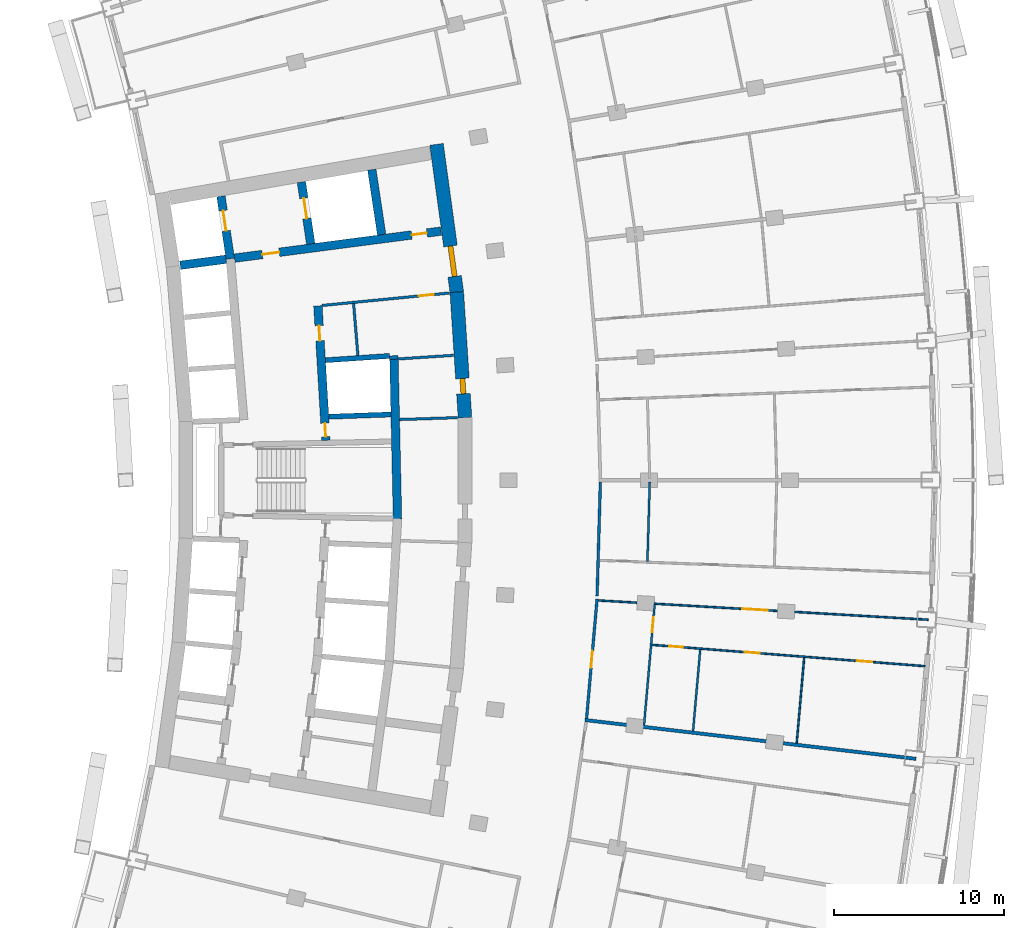
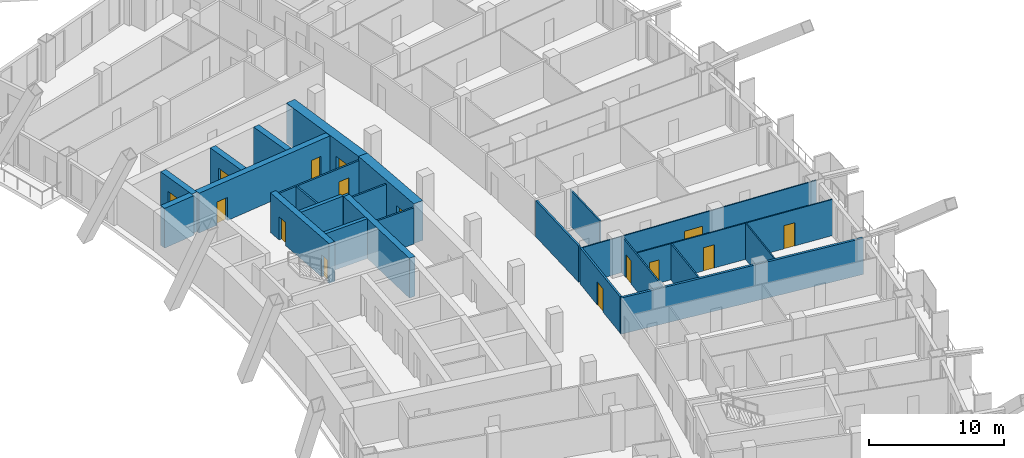
# One storey, part 17 of 25: 25 walls, 15 doors, 15 openings.
"""IFC4 building model written with IfcOpenShell, lengths in metres."""

from ifc_helpers import new_model, si_unit, direction, frame, frame_2d, origin, place, context, subcontext, project, spatial, rectangle, extrude, material, layer, layer_set, type_object, element, fill, save


model = new_model("IFC4")

# Units and contexts
model_context = context("Model", 3, precision=1e-05, world=origin(), true_north=direction((0.0, 1.0)))
body_context = subcontext(model_context, "Body", "Model", "MODEL_VIEW")
ifc_project = project(units=[si_unit("LENGTHUNIT", "METRE"), si_unit("AREAUNIT", "SQUARE_METRE"), si_unit("VOLUMEUNIT", "CUBIC_METRE"), si_unit("PLANEANGLEUNIT", "RADIAN"), si_unit("MASSUNIT", "GRAM", prefix="KILO")], contexts=[model_context])

# Site, building, storey
site_placement = place(None, origin())
site = spatial("IfcSite", under=ifc_project, at=site_placement, CompositionType="ELEMENT")
building_placement = place(site_placement, origin())
building = spatial("IfcBuilding", under=site, at=building_placement, Name="Alderwake Tower", CompositionType="ELEMENT")
storey_placement = place(building_placement, frame((0.0, 0.0, 114.800048828125)))
storey = spatial("IfcBuildingStorey", under=building, at=storey_placement, Name="L28", CompositionType="ELEMENT", Elevation=114.800048828125)

# Walls
ifc_material_1 = material(Name="Gypsum shaft wall system, rated")
ifc_layer_1 = layer(ifc_material_1, 0.14990234375)
ifc_layer_set_1 = layer_set([ifc_layer_1], Name="Core room partition 150")
wall_type_1 = type_object("IfcWallType", Name="Core room partition 150", PredefinedType="PARTITIONING", material=ifc_layer_set_1)
wall_1_placement = place(storey_placement, frame((26.94970703125, 68.3203125, 0.0), z_axis=(0.0, 0.0, 1.0), x_axis=(-0.082463525817, 0.996594083321, 0.0)))
element("IfcWall", 1, at=wall_1_placement, inside=storey, type_object=wall_type_1, Name="CW/L28/PA+107_+70", PredefinedType="PARTITIONING", context=body_context, shape_type="SweptSolid", body=[
    extrude(rectangle(XDim=3.055419921875, YDim=0.14990234375, at=frame_2d((1.52783203125, 0.0))), origin(), (0.0, 0.0, 1.0), 3.280029296875),
])
wall_2_placement = place(storey_placement, frame((29.3974609375, 64.55810546875, 0.0), z_axis=(0.0, 0.0, 1.0), x_axis=(0.999470631901, 0.032533920269, 0.0)))
element("IfcWall", 2, at=wall_2_placement, inside=storey, type_object=wall_type_1, Name="CW/L28/PR+34_+128", PredefinedType="PARTITIONING", context=body_context, shape_type="SweptSolid", body=[
    extrude(rectangle(XDim=3.414306640625, YDim=0.14990234375, at=frame_2d((1.70703125, 0.0))), origin(), (0.0, 0.0, 1.0), 3.280029296875),
])
wall_3_placement = place(storey_placement, frame((29.318603515625, 68.11865234375, 0.0), z_axis=(0.0, 0.0, 1.0), x_axis=(0.997885072108, 0.065002945035, 0.0)))
element("IfcWall", 3, at=wall_3_placement, inside=storey, type_object=wall_type_1, Name="CW/L28/PR+68_+128", PredefinedType="PARTITIONING", context=body_context, shape_type="SweptSolid", body=[
    extrude(rectangle(XDim=3.260009765625, YDim=0.14990234375, at=frame_2d((1.6298828125, 0.0))), origin(), (0.0, 0.0, 1.0), 3.280029296875),
])

# Wall, opening, door
wall_4_placement = place(storey_placement, frame((32.333251953125, 71.991943359375, 0.0), z_axis=(0.0, 0.0, 1.0), x_axis=(-0.995248348328, -0.097369015353, 0.0)))
wall_4 = element("IfcWall", 4, at=wall_4_placement, inside=storey, type_object=wall_type_1, Name="CW/L28/PR+102_+86", PredefinedType="PARTITIONING", context=body_context, shape_type="SweptSolid", body=[
    extrude(rectangle(XDim=7.51953125, YDim=0.14990234375, at=frame_2d((3.759765625, 0.0))), origin(), (0.0, 0.0, 1.0), 3.280029296875),
])
opening_1_placement = place(wall_4_placement, frame((0.919921875, 0.0, 0.0)))
opening_1 = element("IfcOpeningElement", 5, at=opening_1_placement, cuts=wall_4, Name="Opening C021", PredefinedType="OPENING", context=body_context, shape_type="SweptSolid", body=[
    extrude(rectangle(XDim=0.89990234375, YDim=2.10009765625, at=frame_2d((0.449951171875, 1.050048828125))), frame((0.0, 0.0849609375, 0.0), z_axis=(0.0, -1.0, 0.0), x_axis=(1.0, 0.0, 0.0)), (0.0, 0.0, 1.0), 0.169921875),
])
ifc_material_2 = material(Name="Painted steel leaf", Category="steel")
door_type_1 = type_object("IfcDoorType", Name="Core room door 900", OperationType="SINGLE_SWING_LEFT", PredefinedType="DOOR", material=ifc_material_2)
door_1_placement = place(opening_1_placement, origin())
door_1 = element("IfcDoor", 6, at=door_1_placement, inside=storey, type_object=door_type_1, Name="Room door", OperationType="SINGLE_SWING_RIGHT", OverallHeight=2.10009765625, OverallWidth=0.89990234375, PredefinedType="DOOR", context=body_context, shape_type="SweptSolid", body=[
    extrude(rectangle(XDim=0.89990234375, YDim=2.10009765625, at=frame_2d((0.449951171875, 1.050048828125))), frame((0.0, 0.02490234375, 0.0), z_axis=(0.0, -1.0, 0.0), x_axis=(1.0, 0.0, 0.0)), (0.0, 0.0, 1.0), 0.050048828125),
])
fill(opening_1, door_1)

ifc_material_3 = material(Name="Concrete C70/85", Category="concrete")
ifc_layer_2 = layer(ifc_material_3, 0.800048828125)
ifc_layer_set_2 = layer_set([ifc_layer_2], Name="Core wall outer 800 C70-85")
wall_type_2 = type_object("IfcWallType", Name="Core wall outer 800 C70-85", PredefinedType="SHEAR", material=ifc_layer_set_2)
wall_5_placement = place(storey_placement, frame((32.760498046875, 72.048583984375, 0.0), z_axis=(0.0, 0.0, 1.0), x_axis=(0.064976219143, -0.997886812693, 0.0)))
wall_5 = element("IfcWall", 7, at=wall_5_placement, inside=storey, type_object=wall_type_2, Name="Core wall CW.010", PredefinedType="SHEAR", context=body_context, shape_type="SweptSolid", body=[
    extrude(rectangle(XDim=7.39453125, YDim=0.800048828125, at=frame_2d((3.697265625, 0.0))), origin(), (0.0, 0.0, 1.0), 3.599853515625),
])
opening_2_placement = place(wall_5_placement, frame((5.08984375, 0.0, 0.0)))
opening_2 = element("IfcOpeningElement", 8, at=opening_2_placement, cuts=wall_5, Name="Opening C035", PredefinedType="OPENING", context=body_context, shape_type="SweptSolid", body=[
    extrude(rectangle(XDim=0.89990234375, YDim=2.10009765625, at=frame_2d((0.449951171875, 1.050048828125))), frame((0.0, 0.409912109375, 0.0), z_axis=(0.0, -1.0, 0.0), x_axis=(1.0, 0.0, 0.0)), (0.0, 0.0, 1.0), 0.820068359375),
])
door_2_placement = place(opening_2_placement, origin())
door_2 = element("IfcDoor", 9, at=door_2_placement, inside=storey, type_object=door_type_1, Name="Room door", OperationType="SINGLE_SWING_RIGHT", OverallHeight=2.10009765625, OverallWidth=0.89990234375, PredefinedType="DOOR", context=body_context, shape_type="SweptSolid", body=[
    extrude(rectangle(XDim=0.89990234375, YDim=2.10009765625, at=frame_2d((0.449951171875, 1.050048828125))), frame((0.0, 0.14990234375, 0.0), z_axis=(0.0, -1.0, 0.0), x_axis=(1.0, 0.0, 0.0)), (0.0, 0.0, 1.0), 0.300048828125),
])
fill(opening_2, door_2)

wall_6_placement = place(storey_placement, frame((31.569580078125, 80.7265625, 0.0), z_axis=(0.0, 0.0, 1.0), x_axis=(0.135838347444, -0.990731014637, 0.0)))
wall_6 = element("IfcWall", 10, at=wall_6_placement, inside=storey, type_object=wall_type_2, Name="Core wall CW.009", PredefinedType="SHEAR", context=body_context, shape_type="SweptSolid", body=[
    extrude(rectangle(XDim=8.788818359375, YDim=0.800048828125, at=frame_2d((4.39453125, 0.0))), origin(), (0.0, 0.0, 1.0), 3.599853515625),
])
opening_3_placement = place(wall_6_placement, frame((6.032958984375, 0.0, 0.0)))
opening_3 = element("IfcOpeningElement", 11, at=opening_3_placement, cuts=wall_6, Name="Opening C001", PredefinedType="OPENING", context=body_context, shape_type="SweptSolid", body=[
    extrude(rectangle(XDim=1.800048828125, YDim=2.10009765625, at=frame_2d((0.89990234375, 1.050048828125))), frame((0.0, 0.409912109375, 0.0), z_axis=(0.0, -1.0, 0.0), x_axis=(1.0, 0.0, 0.0)), (0.0, 0.0, 1.0), 0.820068359375),
])
ifc_material_4 = material(Name="Steel-framed fire door leaves", Category="steel")
door_type_2 = type_object("IfcDoorType", Name="Core double door 1800 fire-rated", OperationType="DOUBLE_DOOR_SINGLE_SWING", PredefinedType="DOOR", material=ifc_material_4)
door_3_placement = place(opening_3_placement, origin())
door_3 = element("IfcDoor", 12, at=door_3_placement, inside=storey, type_object=door_type_2, Name="Lobby double door", OperationType="DOUBLE_DOOR_SINGLE_SWING", OverallHeight=2.10009765625, OverallWidth=1.800048828125, PredefinedType="DOOR", context=body_context, shape_type="SweptSolid", body=[
    extrude(rectangle(XDim=1.800048828125, YDim=2.10009765625, at=frame_2d((0.89990234375, 1.050048828125))), frame((0.0, 0.14990234375, 0.0), z_axis=(0.0, -1.0, 0.0), x_axis=(1.0, 0.0, 0.0)), (0.0, 0.0, 1.0), 0.300048828125),
])
fill(opening_3, door_3)

# Walls
ifc_material_5 = material(Name="Concrete C70/85", Category="concrete")
ifc_layer_3 = layer(ifc_material_5, 0.300048828125)
ifc_layer_set_3 = layer_set([ifc_layer_3], Name="Core wall shaft 300 C70-85")
wall_type_3 = type_object("IfcWallType", Name="Core wall shaft 300 C70-85", PredefinedType="SHEAR", material=ifc_layer_set_3)
wall_7_placement = place(storey_placement, frame((25.2412109375, 64.725341796875, 0.0), z_axis=(0.0, 0.0, 1.0), x_axis=(0.999374468163, 0.035364846723, 0.0)))
element("IfcWall", 13, at=wall_7_placement, inside=storey, type_object=wall_type_3, Name="Core wall CW.060", PredefinedType="SHEAR", context=body_context, shape_type="SweptSolid", body=[
    extrude(rectangle(XDim=3.65185546875, YDim=0.300048828125, at=frame_2d((1.825927734375, 0.0))), origin(), (0.0, 0.0, 1.0), 3.599853515625),
])
wall_8_placement = place(storey_placement, frame((25.042236328125, 68.0419921875, 0.0), z_axis=(0.0, 0.0, 1.0), x_axis=(0.997762475899, 0.066858370369, 0.0)))
element("IfcWall", 14, at=wall_8_placement, inside=storey, type_object=wall_type_3, Name="Core wall CW.063", PredefinedType="SHEAR", context=body_context, shape_type="SweptSolid", body=[
    extrude(rectangle(XDim=3.772216796875, YDim=0.300048828125, at=frame_2d((1.88623046875, 0.0))), origin(), (0.0, 0.0, 1.0), 3.599853515625),
])

# Wall, opening, door
ifc_material_6 = material(Name="Concrete C70/85", Category="concrete")
ifc_layer_4 = layer(ifc_material_6, 0.5)
ifc_layer_set_4 = layer_set([ifc_layer_4], Name="Core wall spine 500 C70-85")
wall_type_4 = type_object("IfcWallType", Name="Core wall spine 500 C70-85", PredefinedType="SHEAR", material=ifc_layer_set_4)
wall_9_placement = place(storey_placement, frame((19.4541015625, 73.9990234375, 0.0), z_axis=(0.0, 0.0, 1.0), x_axis=(-0.14792928808, 0.988997940204, 0.0)))
wall_9 = element("IfcWall", 15, at=wall_9_placement, inside=storey, type_object=wall_type_4, Name="Core wall CW.030", PredefinedType="SHEAR", context=body_context, shape_type="SweptSolid", body=[
    extrude(rectangle(XDim=3.716552734375, YDim=0.5, at=frame_2d((1.8583984375, 0.0))), origin(), (0.0, 0.0, 1.0), 3.599853515625),
])
opening_4_placement = place(wall_9_placement, frame((1.66259765625, 0.0, 0.0)))
opening_4 = element("IfcOpeningElement", 16, at=opening_4_placement, cuts=wall_9, Name="Opening LD-FF1", PredefinedType="OPENING", context=body_context, shape_type="SweptSolid", body=[
    extrude(rectangle(XDim=1.199951171875, YDim=2.300048828125, at=frame_2d((0.60009765625, 1.14990234375))), frame((0.0, 0.260009765625, 0.0), z_axis=(0.0, -1.0, 0.0), x_axis=(1.0, 0.0, 0.0)), (0.0, 0.0, 1.0), 0.52001953125),
])
ifc_material_7 = material(Name="Stainless steel sliding leaf", Category="steel")
door_type_3 = type_object("IfcDoorType", Name="Lift landing door 1200", OperationType="SLIDING_TO_LEFT", PredefinedType="DOOR", material=ifc_material_7)
door_4_placement = place(opening_4_placement, origin())
door_4 = element("IfcDoor", 17, at=door_4_placement, inside=storey, type_object=door_type_3, Name="Lift landing door FF1", OperationType="SLIDING_TO_LEFT", OverallHeight=2.300048828125, OverallWidth=1.199951171875, PredefinedType="DOOR", context=body_context, shape_type="SweptSolid", body=[
    extrude(rectangle(XDim=1.199951171875, YDim=2.300048828125, at=frame_2d((0.60009765625, 1.14990234375))), frame((0.0, 0.02490234375, 0.0), z_axis=(0.0, -1.0, 0.0), x_axis=(1.0, 0.0, 0.0)), (0.0, 0.0, 1.0), 0.050048828125),
])
fill(opening_4, door_4)

# Wall, openings, doors
wall_10_placement = place(storey_placement, frame((25.073974609375, 63.335693359375, 0.0), z_axis=(0.0, 0.0, 1.0), x_axis=(-0.059848641072, 0.998207463487, 0.0)))
wall_10 = element("IfcWall", 18, at=wall_10_placement, inside=storey, type_object=wall_type_4, Name="Core wall CW.045", PredefinedType="SHEAR", context=body_context, shape_type="SweptSolid", body=[
    extrude(rectangle(XDim=7.913818359375, YDim=0.5, at=frame_2d((3.95703125, 0.0))), origin(), (0.0, 0.0, 1.0), 3.599853515625),
])
opening_5_placement = place(wall_10_placement, frame((0.216064453125, 0.0, 0.0)))
opening_5 = element("IfcOpeningElement", 19, at=opening_5_placement, cuts=wall_10, Name="Opening C005", PredefinedType="OPENING", context=body_context, shape_type="SweptSolid", body=[
    extrude(rectangle(XDim=0.800048828125, YDim=2.0, at=frame_2d((0.39990234375, 1.0))), frame((0.0, 0.260009765625, 0.0), z_axis=(0.0, -1.0, 0.0), x_axis=(1.0, 0.0, 0.0)), (0.0, 0.0, 1.0), 0.52001953125),
])
opening_6_placement = place(wall_10_placement, frame((5.856201171875, 0.0, 0.0)))
opening_6 = element("IfcOpeningElement", 20, at=opening_6_placement, cuts=wall_10, Name="Opening C024", PredefinedType="OPENING", context=body_context, shape_type="SweptSolid", body=[
    extrude(rectangle(XDim=0.89990234375, YDim=2.10009765625, at=frame_2d((0.449951171875, 1.050048828125))), frame((0.0, 0.260009765625, 0.0), z_axis=(0.0, -1.0, 0.0), x_axis=(1.0, 0.0, 0.0)), (0.0, 0.0, 1.0), 0.52001953125),
])
door_5_placement = place(opening_6_placement, origin())
door_5 = element("IfcDoor", 21, at=door_5_placement, inside=storey, type_object=door_type_1, Name="Room door", OperationType="SINGLE_SWING_LEFT", OverallHeight=2.10009765625, OverallWidth=0.89990234375, PredefinedType="DOOR", context=body_context, shape_type="SweptSolid", body=[
    extrude(rectangle(XDim=0.89990234375, YDim=2.10009765625, at=frame_2d((0.449951171875, 1.050048828125))), frame((0.0, 0.02490234375, 0.0), z_axis=(0.0, -1.0, 0.0), x_axis=(1.0, 0.0, 0.0)), (0.0, 0.0, 1.0), 0.050048828125),
])
fill(opening_6, door_5)
ifc_material_8 = material(Name="Painted steel leaf, rated", Category="steel")
door_type_4 = type_object("IfcDoorType", Name="Riser access door 800", OperationType="SINGLE_SWING_LEFT", PredefinedType="DOOR", material=ifc_material_8)
door_6_placement = place(opening_5_placement, origin())
door_6 = element("IfcDoor", 22, at=door_6_placement, inside=storey, type_object=door_type_4, Name="Riser access door", OperationType="SINGLE_SWING_LEFT", OverallHeight=2.0, OverallWidth=0.800048828125, PredefinedType="DOOR", context=body_context, shape_type="SweptSolid", body=[
    extrude(rectangle(XDim=0.800048828125, YDim=2.0, at=frame_2d((0.39990234375, 1.0))), frame((0.0, 0.02490234375, 0.0), z_axis=(0.0, -1.0, 0.0), x_axis=(1.0, 0.0, 0.0)), (0.0, 0.0, 1.0), 0.050048828125),
])
fill(opening_5, door_6)

# Wall, opening, door
wall_11_placement = place(storey_placement, frame((24.1796875, 74.878173828125, 0.0), z_axis=(0.0, 0.0, 1.0), x_axis=(-0.149334835296, 0.988786684259, 0.0)))
wall_11 = element("IfcWall", 23, at=wall_11_placement, inside=storey, type_object=wall_type_4, Name="Core wall CW.044", PredefinedType="SHEAR", context=body_context, shape_type="SweptSolid", body=[
    extrude(rectangle(XDim=3.673583984375, YDim=0.5, at=frame_2d((1.8369140625, 0.0))), origin(), (0.0, 0.0, 1.0), 3.599853515625),
])
opening_7_placement = place(wall_11_placement, frame((1.51171875, 0.0, 0.0)))
opening_7 = element("IfcOpeningElement", 24, at=opening_7_placement, cuts=wall_11, Name="Opening LD-FF2", PredefinedType="OPENING", context=body_context, shape_type="SweptSolid", body=[
    extrude(rectangle(XDim=1.199951171875, YDim=2.300048828125, at=frame_2d((0.60009765625, 1.14990234375))), frame((0.0, 0.260009765625, 0.0), z_axis=(0.0, -1.0, 0.0), x_axis=(1.0, 0.0, 0.0)), (0.0, 0.0, 1.0), 0.52001953125),
])
door_7_placement = place(opening_7_placement, origin())
door_7 = element("IfcDoor", 25, at=door_7_placement, inside=storey, type_object=door_type_3, Name="Lift landing door FF2", OperationType="SLIDING_TO_LEFT", OverallHeight=2.300048828125, OverallWidth=1.199951171875, PredefinedType="DOOR", context=body_context, shape_type="SweptSolid", body=[
    extrude(rectangle(XDim=1.199951171875, YDim=2.300048828125, at=frame_2d((0.60009765625, 1.14990234375))), frame((0.0, 0.02490234375, 0.0), z_axis=(0.0, -1.0, 0.0), x_axis=(1.0, 0.0, 0.0)), (0.0, 0.0, 1.0), 0.050048828125),
])
fill(opening_7, door_7)

# Walls
wall_12_placement = place(storey_placement, frame((29.276611328125, 58.71630859375, 0.0), z_axis=(0.0, 0.0, 1.0), x_axis=(-0.022115722908, 0.99975541749, 0.0)))
element("IfcWall", 26, at=wall_12_placement, inside=storey, type_object=wall_type_4, Name="Core wall CW.007", PredefinedType="SHEAR", context=body_context, shape_type="SweptSolid", body=[
    extrude(rectangle(XDim=9.394287109375, YDim=0.5, at=frame_2d((4.697265625, 0.0))), origin(), (0.0, 0.0, 1.0), 3.599853515625),
])
wall_13_placement = place(storey_placement, frame((29.0693359375, 68.096435546875, 0.0), z_axis=(0.0, 0.0, 1.0), x_axis=(-0.065840896216, 0.997830134034, 0.0)))
element("IfcWall", 27, at=wall_13_placement, inside=storey, type_object=wall_type_4, Name="Core wall CW.003", PredefinedType="SHEAR", context=body_context, shape_type="SweptSolid", body=[
    extrude(rectangle(XDim=0.215087890625, YDim=0.5, at=frame_2d((0.107421875, 0.0))), origin(), (0.0, 0.0, 1.0), 3.599853515625),
])
wall_14_placement = place(storey_placement, frame((28.34423828125, 75.4228515625, 0.0), z_axis=(0.0, 0.0, 1.0), x_axis=(-0.14943460482, 0.988771611082, 0.0)))
element("IfcWall", 28, at=wall_14_placement, inside=storey, type_object=wall_type_4, Name="Core wall CW.001", PredefinedType="SHEAR", context=body_context, shape_type="SweptSolid", body=[
    extrude(rectangle(XDim=3.8623046875, YDim=0.5, at=frame_2d((1.93115234375, 0.0))), origin(), (0.0, 0.0, 1.0), 3.599853515625),
])
wall_15_placement = place(storey_placement, frame((16.508544921875, 73.62255859375, 0.0), z_axis=(0.0, 0.0, 1.0), x_axis=(0.991548766325, 0.129734513522, 0.0)))
element("IfcWall", 29, at=wall_15_placement, inside=storey, type_object=wall_type_4, Name="Core wall CW.051", PredefinedType="SHEAR", context=body_context, shape_type="SweptSolid", body=[
    extrude(rectangle(XDim=2.71923828125, YDim=0.5, at=frame_2d((1.359619140625, 0.0))), origin(), (0.0, 0.0, 1.0), 3.599853515625),
])

# Wall, openings, doors
wall_16_placement = place(storey_placement, frame((31.834716796875, 75.627197265625, 0.0), z_axis=(0.0, 0.0, 1.0), x_axis=(-0.991555516999, -0.129682908318, 0.0)))
wall_16 = element("IfcWall", 30, at=wall_16_placement, inside=storey, type_object=wall_type_4, Name="Core wall CW.052", PredefinedType="SHEAR", context=body_context, shape_type="SweptSolid", body=[
    extrude(rectangle(XDim=12.23681640625, YDim=0.5, at=frame_2d((6.118408203125, 0.0))), origin(), (0.0, 0.0, 1.0), 3.599853515625),
])
opening_8_placement = place(wall_16_placement, frame((9.587158203125, 0.0, 0.0)))
opening_8 = element("IfcOpeningElement", 31, at=opening_8_placement, cuts=wall_16, Name="Opening C002", PredefinedType="OPENING", context=body_context, shape_type="SweptSolid", body=[
    extrude(rectangle(XDim=1.0, YDim=2.10009765625, at=frame_2d((0.5, 1.050048828125))), frame((0.0, 0.260009765625, 0.0), z_axis=(0.0, -1.0, 0.0), x_axis=(1.0, 0.0, 0.0)), (0.0, 0.0, 1.0), 0.52001953125),
])
opening_9_placement = place(wall_16_placement, frame((0.837158203125, 0.0, 0.0)))
opening_9 = element("IfcOpeningElement", 32, at=opening_9_placement, cuts=wall_16, Name="Opening C020", PredefinedType="OPENING", context=body_context, shape_type="SweptSolid", body=[
    extrude(rectangle(XDim=0.89990234375, YDim=2.10009765625, at=frame_2d((0.449951171875, 1.050048828125))), frame((0.0, 0.260009765625, 0.0), z_axis=(0.0, -1.0, 0.0), x_axis=(1.0, 0.0, 0.0)), (0.0, 0.0, 1.0), 0.52001953125),
])
door_8_placement = place(opening_9_placement, origin())
door_8 = element("IfcDoor", 33, at=door_8_placement, inside=storey, type_object=door_type_1, Name="Room door", OperationType="SINGLE_SWING_LEFT", OverallHeight=2.10009765625, OverallWidth=0.89990234375, PredefinedType="DOOR", context=body_context, shape_type="SweptSolid", body=[
    extrude(rectangle(XDim=0.89990234375, YDim=2.10009765625, at=frame_2d((0.449951171875, 1.050048828125))), frame((0.0, 0.02490234375, 0.0), z_axis=(0.0, -1.0, 0.0), x_axis=(1.0, 0.0, 0.0)), (0.0, 0.0, 1.0), 0.050048828125),
])
fill(opening_9, door_8)
ifc_material_9 = material(Name="Steel-framed fire door leaf", Category="steel")
door_type_5 = type_object("IfcDoorType", Name="Firefighting lobby door 1000 fire-rated", OperationType="SINGLE_SWING_LEFT", PredefinedType="DOOR", material=ifc_material_9)
door_9_placement = place(opening_8_placement, origin())
door_9 = element("IfcDoor", 34, at=door_9_placement, inside=storey, type_object=door_type_5, Name="Firefighting lobby door", OperationType="SINGLE_SWING_RIGHT", OverallHeight=2.10009765625, OverallWidth=1.0, PredefinedType="DOOR", context=body_context, shape_type="SweptSolid", body=[
    extrude(rectangle(XDim=1.0, YDim=2.10009765625, at=frame_2d((0.5, 1.050048828125))), frame((0.0, 0.02490234375, 0.0), z_axis=(0.0, -1.0, 0.0), x_axis=(1.0, 0.0, 0.0)), (0.0, 0.0, 1.0), 0.050048828125),
])
fill(opening_8, door_9)

# Wall, opening, door
ifc_material_10 = material(Name="Gypsum board on metal studs, rated")
ifc_layer_5 = layer(ifc_material_10, 0.159912109375)
ifc_layer_set_5 = layer_set([ifc_layer_5], Name="Corridor wall 160")
wall_type_5 = type_object("IfcWallType", Name="Corridor wall 160", PredefinedType="PARTITIONING", material=ifc_layer_set_5)
wall_17_placement = place(storey_placement, frame((41.001953125, 54.013671875, 0.0), z_axis=(0.0, 0.0, 1.0), x_axis=(-0.087430787456, -0.996170596537, 0.0)))
wall_17 = element("IfcWall", 35, at=wall_17_placement, inside=storey, type_object=wall_type_5, Name="WL/L28/W37", PredefinedType="PARTITIONING", context=body_context, shape_type="SweptSolid", body=[
    extrude(rectangle(XDim=7.048095703125, YDim=0.159912109375, at=frame_2d((3.52392578125, 0.0))), origin(), (0.0, 0.0, 1.0), 3.280029296875),
])
opening_10_placement = place(wall_17_placement, frame((3.064208984375, 0.0, 0.0)))
opening_10 = element("IfcOpeningElement", 36, at=opening_10_placement, cuts=wall_17, Name="Opening R08-U07.2", PredefinedType="OPENING", context=body_context, shape_type="SweptSolid", body=[
    extrude(rectangle(XDim=1.0, YDim=2.10009765625, at=frame_2d((0.5, 1.050048828125))), frame((0.0, 0.08984375, 0.0), z_axis=(0.0, -1.0, 0.0), x_axis=(1.0, 0.0, 0.0)), (0.0, 0.0, 1.0), 0.179931640625),
])
ifc_material_11 = material(Name="Solid timber leaf in steel frame", Category="steel")
door_type_6 = type_object("IfcDoorType", Name="Flat entrance door 1000 fire-rated", OperationType="SINGLE_SWING_LEFT", PredefinedType="DOOR", material=ifc_material_11)
door_10_placement = place(opening_10_placement, origin())
door_10 = element("IfcDoor", 37, at=door_10_placement, inside=storey, type_object=door_type_6, Name="DR/L28/U07.2", OperationType="SINGLE_SWING_LEFT", OverallHeight=2.10009765625, OverallWidth=1.0, PredefinedType="DOOR", context=body_context, shape_type="SweptSolid", body=[
    extrude(rectangle(XDim=1.0, YDim=2.10009765625, at=frame_2d((0.5, 1.050048828125))), frame((0.0, 0.02490234375, 0.0), z_axis=(0.0, -1.0, 0.0), x_axis=(1.0, 0.0, 0.0)), (0.0, 0.0, 1.0), 0.050048828125),
])
fill(opening_10, door_10)

# Walls
wall_18_placement = place(storey_placement, frame((41.002685546875, 54.20068359375, 0.0), z_axis=(0.0, 0.0, 1.0), x_axis=(0.028855161601, 0.999583603131, 0.0)))
element("IfcWall", 38, at=wall_18_placement, inside=storey, type_object=wall_type_5, Name="WL/L28/W39", PredefinedType="PARTITIONING", context=body_context, shape_type="SweptSolid", body=[
    extrude(rectangle(XDim=6.700927734375, YDim=0.159912109375, at=frame_2d((3.3505859375, 0.0))), origin(), (0.0, 0.0, 1.0), 3.280029296875),
])
ifc_material_12 = material(Name="Dense block masonry wall", Category="masonry")
ifc_layer_6 = layer(ifc_material_12, 0.199951171875)
ifc_layer_set_6 = layer_set([ifc_layer_6], Name="Party wall 200")
wall_type_6 = type_object("IfcWallType", Name="Party wall 200", PredefinedType="SOLIDWALL", material=ifc_layer_set_6)
wall_19_placement = place(storey_placement, frame((59.7451171875, 44.6220703125, 0.0), z_axis=(0.0, 0.0, 1.0), x_axis=(-0.993195977177, 0.116454930851, 0.0)))
element("IfcWall", 39, at=wall_19_placement, inside=storey, type_object=wall_type_6, Name="WL/L28/W11", PredefinedType="SOLIDWALL", context=body_context, shape_type="SweptSolid", body=[
    extrude(rectangle(XDim=19.580810546875, YDim=0.199951171875, at=frame_2d((9.79052734375, 0.0))), origin(), (0.0, 0.0, 1.0), 3.280029296875),
])

# Wall, opening, door
ifc_material_13 = material(Name="Gypsum board on metal studs")
ifc_layer_7 = layer(ifc_material_13, 0.10009765625)
ifc_layer_set_7 = layer_set([ifc_layer_7], Name="Unit partition 100")
wall_type_7 = type_object("IfcWallType", Name="Unit partition 100", PredefinedType="PARTITIONING", material=ifc_layer_set_7)
wall_20_placement = place(storey_placement, frame((41.074951171875, 53.92919921875, 0.0), z_axis=(0.0, 0.0, 1.0), x_axis=(0.998299424898, -0.058294581637, 0.0)))
wall_20 = element("IfcWall", 40, at=wall_20_placement, inside=storey, type_object=wall_type_7, Name="WL/L28/W71", PredefinedType="PARTITIONING", context=body_context, shape_type="SweptSolid", body=[
    extrude(rectangle(XDim=19.419921875, YDim=0.10009765625, at=frame_2d((9.7099609375, 0.0))), origin(), (0.0, 0.0, 1.0), 3.280029296875),
])
opening_11_placement = place(wall_20_placement, frame((8.464599609375, 0.0, 0.0)))
opening_11 = element("IfcOpeningElement", 41, at=opening_11_placement, cuts=wall_20, Name="Opening R08-U07.9", PredefinedType="OPENING", context=body_context, shape_type="SweptSolid", body=[
    extrude(rectangle(XDim=1.5, YDim=2.10009765625, at=frame_2d((0.75, 1.050048828125))), frame((0.0, 0.06005859375, 0.0), z_axis=(0.0, -1.0, 0.0), x_axis=(1.0, 0.0, 0.0)), (0.0, 0.0, 1.0), 0.1201171875),
])
ifc_material_14 = material(Name="Painted timber leaves", Category="wood")
door_type_7 = type_object("IfcDoorType", Name="Double leaf door 1500", OperationType="DOUBLE_DOOR_SINGLE_SWING", PredefinedType="DOOR", material=ifc_material_14)
door_11_placement = place(opening_11_placement, origin())
door_11 = element("IfcDoor", 42, at=door_11_placement, inside=storey, type_object=door_type_7, Name="DR/L28/U07.9", OperationType="DOUBLE_DOOR_SINGLE_SWING", OverallHeight=2.10009765625, OverallWidth=1.5, PredefinedType="DOOR", context=body_context, shape_type="SweptSolid", body=[
    extrude(rectangle(XDim=1.5, YDim=2.10009765625, at=frame_2d((0.75, 1.050048828125))), frame((0.0, 0.02490234375, 0.0), z_axis=(0.0, -1.0, 0.0), x_axis=(1.0, 0.0, 0.0)), (0.0, 0.0, 1.0), 0.050048828125),
])
fill(opening_11, door_11)

# Wall, openings, doors
wall_21_placement = place(storey_placement, frame((60.27001953125, 50.06689453125, 0.0), z_axis=(0.0, 0.0, 1.0), x_axis=(-0.996963614513, 0.077868808503, 0.0)))
wall_21 = element("IfcWall", 43, at=wall_21_placement, inside=storey, type_object=wall_type_7, Name="WL/L28/W75", PredefinedType="PARTITIONING", context=body_context, shape_type="SweptSolid", body=[
    extrude(rectangle(XDim=16.083984375, YDim=0.10009765625, at=frame_2d((8.0419921875, 0.0))), origin(), (0.0, 0.0, 1.0), 3.280029296875),
])
opening_12_placement = place(wall_21_placement, frame((9.7294921875, 0.0, 0.0)))
opening_12 = element("IfcOpeningElement", 44, at=opening_12_placement, cuts=wall_21, Name="Opening R08-U07.1", PredefinedType="OPENING", context=body_context, shape_type="SweptSolid", body=[
    extrude(rectangle(XDim=0.89990234375, YDim=2.10009765625, at=frame_2d((0.449951171875, 1.050048828125))), frame((0.0, 0.06005859375, 0.0), z_axis=(0.0, -1.0, 0.0), x_axis=(1.0, 0.0, 0.0)), (0.0, 0.0, 1.0), 0.1201171875),
])
opening_13_placement = place(wall_21_placement, frame((14.263916015625, 0.0, 0.0)))
opening_13 = element("IfcOpeningElement", 45, at=opening_13_placement, cuts=wall_21, Name="Opening R08-U07.4", PredefinedType="OPENING", context=body_context, shape_type="SweptSolid", body=[
    extrude(rectangle(XDim=0.800048828125, YDim=2.10009765625, at=frame_2d((0.39990234375, 1.050048828125))), frame((0.0, 0.06005859375, 0.0), z_axis=(0.0, -1.0, 0.0), x_axis=(1.0, 0.0, 0.0)), (0.0, 0.0, 1.0), 0.1201171875),
])
opening_14_placement = place(wall_21_placement, frame((3.107666015625, 0.0, 0.0)))
opening_14 = element("IfcOpeningElement", 46, at=opening_14_placement, cuts=wall_21, Name="Opening R08-U07.5", PredefinedType="OPENING", context=body_context, shape_type="SweptSolid", body=[
    extrude(rectangle(XDim=0.89990234375, YDim=2.10009765625, at=frame_2d((0.449951171875, 1.050048828125))), frame((0.0, 0.06005859375, 0.0), z_axis=(0.0, -1.0, 0.0), x_axis=(1.0, 0.0, 0.0)), (0.0, 0.0, 1.0), 0.1201171875),
])
ifc_material_15 = material(Name="Painted timber leaf", Category="wood")
door_type_8 = type_object("IfcDoorType", Name="Bathroom door 800", OperationType="SINGLE_SWING_LEFT", PredefinedType="DOOR", material=ifc_material_15)
door_12_placement = place(opening_13_placement, origin())
door_12 = element("IfcDoor", 47, at=door_12_placement, inside=storey, type_object=door_type_8, Name="DR/L28/U07.4", OperationType="SINGLE_SWING_LEFT", OverallHeight=2.10009765625, OverallWidth=0.800048828125, PredefinedType="DOOR", context=body_context, shape_type="SweptSolid", body=[
    extrude(rectangle(XDim=0.800048828125, YDim=2.10009765625, at=frame_2d((0.39990234375, 1.050048828125))), frame((0.0, 0.02490234375, 0.0), z_axis=(0.0, -1.0, 0.0), x_axis=(1.0, 0.0, 0.0)), (0.0, 0.0, 1.0), 0.050048828125),
])
fill(opening_13, door_12)
ifc_material_16 = material(Name="Painted timber leaf", Category="wood")
door_type_9 = type_object("IfcDoorType", Name="Room door 900", OperationType="SINGLE_SWING_LEFT", PredefinedType="DOOR", material=ifc_material_16)
door_13_placement = place(opening_12_placement, origin())
door_13 = element("IfcDoor", 48, at=door_13_placement, inside=storey, type_object=door_type_9, Name="DR/L28/U07.1", OperationType="SINGLE_SWING_LEFT", OverallHeight=2.10009765625, OverallWidth=0.89990234375, PredefinedType="DOOR", context=body_context, shape_type="SweptSolid", body=[
    extrude(rectangle(XDim=0.89990234375, YDim=2.10009765625, at=frame_2d((0.449951171875, 1.050048828125))), frame((0.0, 0.02490234375, 0.0), z_axis=(0.0, -1.0, 0.0), x_axis=(1.0, 0.0, 0.0)), (0.0, 0.0, 1.0), 0.050048828125),
])
fill(opening_12, door_13)
door_14_placement = place(opening_14_placement, origin())
door_14 = element("IfcDoor", 49, at=door_14_placement, inside=storey, type_object=door_type_9, Name="DR/L28/U07.5", OperationType="SINGLE_SWING_LEFT", OverallHeight=2.10009765625, OverallWidth=0.89990234375, PredefinedType="DOOR", context=body_context, shape_type="SweptSolid", body=[
    extrude(rectangle(XDim=0.89990234375, YDim=2.10009765625, at=frame_2d((0.449951171875, 1.050048828125))), frame((0.0, 0.02490234375, 0.0), z_axis=(0.0, -1.0, 0.0), x_axis=(1.0, 0.0, 0.0)), (0.0, 0.0, 1.0), 0.050048828125),
])
fill(opening_14, door_14)

# Wall
wall_22_placement = place(storey_placement, frame((52.730712890625, 45.543701171875, 0.0), z_axis=(0.0, 0.0, 1.0), x_axis=(0.087155550626, 0.9961947149, 0.0)))
element("IfcWall", 50, at=wall_22_placement, inside=storey, type_object=wall_type_7, Name="WL/L28/W87", PredefinedType="PARTITIONING", context=body_context, shape_type="SweptSolid", body=[
    extrude(rectangle(XDim=5.0478515625, YDim=0.10009765625, at=frame_2d((2.52392578125, 0.0))), origin(), (0.0, 0.0, 1.0), 3.280029296875),
])

# Wall, opening, door
ifc_material_17 = material(Name="Moisture resistant gypsum board on metal studs")
ifc_layer_8 = layer(ifc_material_17, 0.1201171875)
ifc_layer_set_8 = layer_set([ifc_layer_8], Name="Wet room partition 120")
wall_type_8 = type_object("IfcWallType", Name="Wet room partition 120", PredefinedType="PARTITIONING", material=ifc_layer_set_8)
wall_23_placement = place(storey_placement, frame((44.383544921875, 53.686279296875, 0.0), z_axis=(0.0, 0.0, 1.0), x_axis=(-0.087510360813, -0.996163609429, 0.0)))
wall_23 = element("IfcWall", 51, at=wall_23_placement, inside=storey, type_object=wall_type_8, Name="WL/L28/W59", PredefinedType="PARTITIONING", context=body_context, shape_type="SweptSolid", body=[
    extrude(rectangle(XDim=7.116943359375, YDim=0.1201171875, at=frame_2d((3.55859375, 0.0))), origin(), (0.0, 0.0, 1.0), 3.280029296875),
])
opening_15_placement = place(wall_23_placement, frame((0.736328125, 0.0, 0.0)))
opening_15 = element("IfcOpeningElement", 52, at=opening_15_placement, cuts=wall_23, Name="Opening R08-U07.3", PredefinedType="OPENING", context=body_context, shape_type="SweptSolid", body=[
    extrude(rectangle(XDim=0.89990234375, YDim=2.10009765625, at=frame_2d((0.449951171875, 1.050048828125))), frame((0.0, 0.070068359375, 0.0), z_axis=(0.0, -1.0, 0.0), x_axis=(1.0, 0.0, 0.0)), (0.0, 0.0, 1.0), 0.14013671875),
])
door_15_placement = place(opening_15_placement, origin())
door_15 = element("IfcDoor", 53, at=door_15_placement, inside=storey, type_object=door_type_9, Name="DR/L28/U07.3", OperationType="SINGLE_SWING_LEFT", OverallHeight=2.10009765625, OverallWidth=0.89990234375, PredefinedType="DOOR", context=body_context, shape_type="SweptSolid", body=[
    extrude(rectangle(XDim=0.89990234375, YDim=2.10009765625, at=frame_2d((0.449951171875, 1.050048828125))), frame((0.0, 0.02490234375, 0.0), z_axis=(0.0, -1.0, 0.0), x_axis=(1.0, 0.0, 0.0)), (0.0, 0.0, 1.0), 0.050048828125),
])
fill(opening_15, door_15)

# Walls
wall_24_placement = place(storey_placement, frame((43.96044921875, 56.22802734375, 0.0), z_axis=(0.0, 0.0, 1.0), x_axis=(0.029257801765, 0.999571898883, 0.0)))
element("IfcWall", 54, at=wall_24_placement, inside=storey, type_object=wall_type_8, Name="WL/L28/W60", PredefinedType="PARTITIONING", context=body_context, shape_type="SweptSolid", body=[
    extrude(rectangle(XDim=4.6728515625, YDim=0.1201171875, at=frame_2d((2.33642578125, 0.0))), origin(), (0.0, 0.0, 1.0), 3.280029296875),
])
wall_25_placement = place(storey_placement, frame((46.640869140625, 46.2578125, 0.0), z_axis=(0.0, 0.0, 1.0), x_axis=(0.087714452347, 0.996145659454, 0.0)))
element("IfcWall", 55, at=wall_25_placement, inside=storey, type_object=wall_type_8, Name="WL/L28/W65", PredefinedType="PARTITIONING", context=body_context, shape_type="SweptSolid", body=[
    extrude(rectangle(XDim=4.806884765625, YDim=0.1201171875, at=frame_2d((2.4033203125, 0.0))), origin(), (0.0, 0.0, 1.0), 3.280029296875),
])

save(model, "model.ifc")
